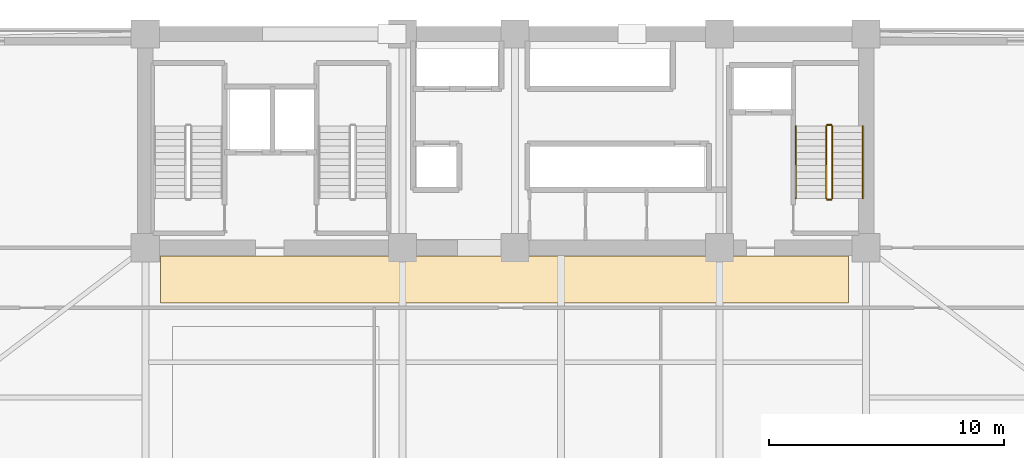
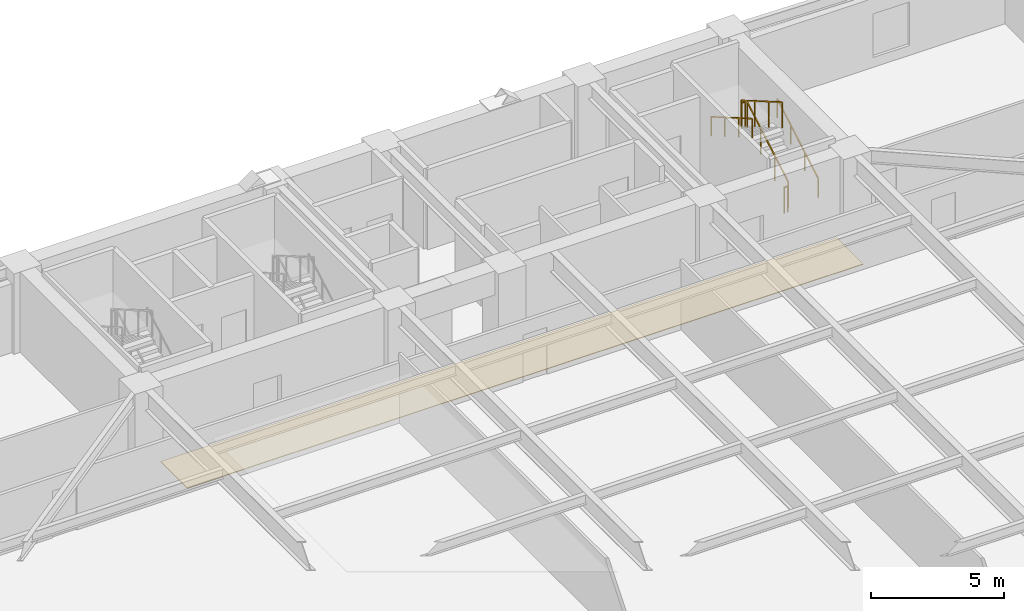
# One storey, part 16 of 17: 6 railings, 1 covering.
"""IFC4 building model written with IfcOpenShell, lengths in metres."""

from ifc_helpers import new_model, si_unit, direction, frame, origin, origin_2d, place, context, subcontext, project, spatial, polyline, rectangle, outline, extrude, material, layer, layer_set, type_object, element, save


model = new_model("IFC4")

# Units and contexts
model_context = context("Model", 3, precision=1e-05, world=origin(), true_north=direction((0.0, 1.0)))
body_context = subcontext(model_context, "Body", "Model", "MODEL_VIEW")
ifc_project = project(units=[si_unit("LENGTHUNIT", "METRE"), si_unit("AREAUNIT", "SQUARE_METRE"), si_unit("VOLUMEUNIT", "CUBIC_METRE"), si_unit("PLANEANGLEUNIT", "RADIAN"), si_unit("MASSUNIT", "GRAM", prefix="KILO")], contexts=[model_context])

# Site, building, storey
site_placement = place(None, origin())
site = spatial("IfcSite", under=ifc_project, at=site_placement, CompositionType="ELEMENT")
building_placement = place(site_placement, origin())
building = spatial("IfcBuilding", under=site, at=building_placement, Name="Giltprow Tower", CompositionType="ELEMENT")
storey_placement = place(building_placement, frame((0.0, 0.0, 29.300048828125)))
storey = spatial("IfcBuildingStorey", under=building, at=storey_placement, Name="L07", CompositionType="ELEMENT", Elevation=29.300048828125)

# Covering
ifc_material_1 = material(Name="Honed granite", Category="masonry")
ifc_layer = layer(ifc_material_1, 0.030029296875, Name="Honed granite")
ifc_layer_set = layer_set([ifc_layer], Name="Honed granite")
covering_type = type_object("IfcCoveringType", Name="COV-FLR-STONE", PredefinedType="FLOORING", material=ifc_layer_set)
covering_placement = place(storey_placement, origin())
element("IfcCovering", 1, at=covering_placement, inside=storey, type_object=covering_type, Name="L07 Office Corridor Stone Flooring", PredefinedType="FLOORING", context=body_context, shape_type="SweptSolid", body=[
    extrude(outline(polyline([(20.5, 35.10009765625), (49.800048828125, 35.10009765625), (49.800048828125, 37.10009765625), (20.5, 37.10009765625), (20.5, 35.10009765625)])), origin(), (0.0, 0.0, 1.0), 0.030029296875),
])

# Railings
ifc_material_2 = material(Name="Anodized bronze", Category="metal")
railing_type_1 = type_object("IfcRailingType", Name="RAIL-STAIR-GUARD-1200", PredefinedType="GUARDRAIL", material=ifc_material_2)
railing_1_placement = place(storey_placement, frame((49.110107421875, 39.550048828125, 0.162353515625)))
element("IfcRailing", 2, at=railing_1_placement, inside=storey, type_object=railing_type_1, Name="L07 ST-3 stair guard 1", PredefinedType="GUARDRAIL", context=body_context, shape_type="SweptSolid", body=[
    extrude(rectangle(XDim=0.048095703125, YDim=0.048095703125, at=origin_2d()), frame((0.0, 0.0, 1.17578125), z_axis=(0.0, 0.864873446163, 0.501989962173), x_axis=(-1.0, 0.0, 0.0)), (0.0, 0.0, 1.0), 3.56103515625),
    extrude(rectangle(XDim=0.0419921875, YDim=0.0419921875, at=origin_2d()), origin(), (0.0, 0.0, 1.0), 1.15185546875),
    extrude(rectangle(XDim=0.0419921875, YDim=0.0419921875, at=origin_2d()), frame((0.0, 1.026611328125, 0.595947265625)), (0.0, 0.0, 1.0), 1.15185546875),
    extrude(rectangle(XDim=0.0419921875, YDim=0.0419921875, at=origin_2d()), frame((0.0, 2.05322265625, 1.191650390625)), (0.0, 0.0, 1.0), 1.15185546875),
    extrude(rectangle(XDim=0.0419921875, YDim=0.0419921875, at=origin_2d()), frame((0.0, 3.079833984375, 1.78759765625)), (0.0, 0.0, 1.0), 1.15185546875),
])
railing_2_placement = place(storey_placement, frame((49.06005859375, 42.679931640625, 1.949951171875)))
element("IfcRailing", 3, at=railing_2_placement, inside=storey, type_object=railing_type_1, Name="L07 ST-3 stair guard 2", PredefinedType="GUARDRAIL", context=body_context, shape_type="SweptSolid", body=[
    extrude(rectangle(XDim=0.048095703125, YDim=0.048095703125, at=origin_2d()), frame((0.0, 0.0, 1.17578125), z_axis=(-1.0, 0.0, 0.0), x_axis=(0.0, -1.0, 0.0)), (0.0, 0.0, 1.0), 0.16015625),
    extrude(rectangle(XDim=0.0419921875, YDim=0.0419921875, at=origin_2d()), origin(), (0.0, 0.0, 1.0), 1.15185546875),
    extrude(rectangle(XDim=0.0419921875, YDim=0.0419921875, at=origin_2d()), frame((-0.16015625, 0.0, 0.0)), (0.0, 0.0, 1.0), 1.15185546875),
])
railing_3_placement = place(storey_placement, frame((48.85009765625, 42.6298828125, 2.112548828125)))
element("IfcRailing", 4, at=railing_3_placement, inside=storey, type_object=railing_type_1, Name="L07 ST-3 stair guard 3", PredefinedType="GUARDRAIL", context=body_context, shape_type="SweptSolid", body=[
    extrude(rectangle(XDim=0.048095703125, YDim=0.048095703125, at=origin_2d()), frame((0.0, 0.0, 1.17578125), z_axis=(0.0, -0.864903211148, 0.501938676878), x_axis=(1.0, 0.0, 0.0)), (0.0, 0.0, 1.0), 3.560791015625),
    extrude(rectangle(XDim=0.0419921875, YDim=0.0419921875, at=origin_2d()), origin(), (0.0, 0.0, 1.0), 1.15185546875),
    extrude(rectangle(XDim=0.0419921875, YDim=0.0419921875, at=origin_2d()), frame((0.0, -1.026611328125, 0.595703125)), (0.0, 0.0, 1.0), 1.15185546875),
    extrude(rectangle(XDim=0.0419921875, YDim=0.0419921875, at=origin_2d()), frame((0.0, -2.05322265625, 1.191650390625)), (0.0, 0.0, 1.0), 1.15185546875),
    extrude(rectangle(XDim=0.0419921875, YDim=0.0419921875, at=origin_2d()), frame((0.0, -3.079833984375, 1.787353515625)), (0.0, 0.0, 1.0), 1.15185546875),
])
railing_4_placement = place(storey_placement, frame((49.06005859375, 39.5, 0.0)))
element("IfcRailing", 5, at=railing_4_placement, inside=storey, type_object=railing_type_1, Name="L07 ST-3 stair guard 4", PredefinedType="GUARDRAIL", context=body_context, shape_type="SweptSolid", body=[
    extrude(rectangle(XDim=0.048095703125, YDim=0.048095703125, at=origin_2d()), frame((0.0, 0.0, 1.17578125), z_axis=(-1.0, 0.0, 0.0), x_axis=(0.0, -1.0, 0.0)), (0.0, 0.0, 1.0), 0.16015625),
    extrude(rectangle(XDim=0.0419921875, YDim=0.0419921875, at=origin_2d()), origin(), (0.0, 0.0, 1.0), 1.15185546875),
    extrude(rectangle(XDim=0.0419921875, YDim=0.0419921875, at=origin_2d()), frame((-0.16015625, 0.0, 0.0)), (0.0, 0.0, 1.0), 1.15185546875),
])
railing_type_2 = type_object("IfcRailingType", Name="RAIL-STAIR-HAND-900", PredefinedType="HANDRAIL", material=ifc_material_2)
railing_5_placement = place(storey_placement, frame((50.409912109375, 39.550048828125, 0.162353515625)))
element("IfcRailing", 6, at=railing_5_placement, inside=storey, type_object=railing_type_2, Name="L07 ST-3 stair handrail 1", PredefinedType="HANDRAIL", context=body_context, shape_type="SweptSolid", body=[
    extrude(rectangle(XDim=0.048095703125, YDim=0.048095703125, at=origin_2d()), frame((0.0, 0.0, 0.8759765625), z_axis=(0.0, 0.864873446163, 0.501989962173), x_axis=(-1.0, 0.0, 0.0)), (0.0, 0.0, 1.0), 3.56103515625),
    extrude(rectangle(XDim=0.0419921875, YDim=0.0419921875, at=origin_2d()), origin(), (0.0, 0.0, 1.0), 0.851806640625),
    extrude(rectangle(XDim=0.0419921875, YDim=0.0419921875, at=origin_2d()), frame((0.0, 1.026611328125, 0.595947265625)), (0.0, 0.0, 1.0), 0.851806640625),
    extrude(rectangle(XDim=0.0419921875, YDim=0.0419921875, at=origin_2d()), frame((0.0, 2.05322265625, 1.191650390625)), (0.0, 0.0, 1.0), 0.851806640625),
    extrude(rectangle(XDim=0.0419921875, YDim=0.0419921875, at=origin_2d()), frame((0.0, 3.079833984375, 1.78759765625)), (0.0, 0.0, 1.0), 0.851806640625),
])
railing_6_placement = place(storey_placement, frame((47.550048828125, 42.6298828125, 2.112548828125)))
element("IfcRailing", 7, at=railing_6_placement, inside=storey, type_object=railing_type_2, Name="L07 ST-3 stair handrail 2", PredefinedType="HANDRAIL", context=body_context, shape_type="SweptSolid", body=[
    extrude(rectangle(XDim=0.048095703125, YDim=0.048095703125, at=origin_2d()), frame((0.0, 0.0, 0.8759765625), z_axis=(0.0, -0.864903211148, 0.501938676878), x_axis=(1.0, 0.0, 0.0)), (0.0, 0.0, 1.0), 3.560791015625),
    extrude(rectangle(XDim=0.0419921875, YDim=0.0419921875, at=origin_2d()), origin(), (0.0, 0.0, 1.0), 0.851806640625),
    extrude(rectangle(XDim=0.0419921875, YDim=0.0419921875, at=origin_2d()), frame((0.0, -1.026611328125, 0.595703125)), (0.0, 0.0, 1.0), 0.851806640625),
    extrude(rectangle(XDim=0.0419921875, YDim=0.0419921875, at=origin_2d()), frame((0.0, -2.05322265625, 1.191650390625)), (0.0, 0.0, 1.0), 0.851806640625),
    extrude(rectangle(XDim=0.0419921875, YDim=0.0419921875, at=origin_2d()), frame((0.0, -3.079833984375, 1.787353515625)), (0.0, 0.0, 1.0), 0.851806640625),
])

save(model, "model.ifc")
